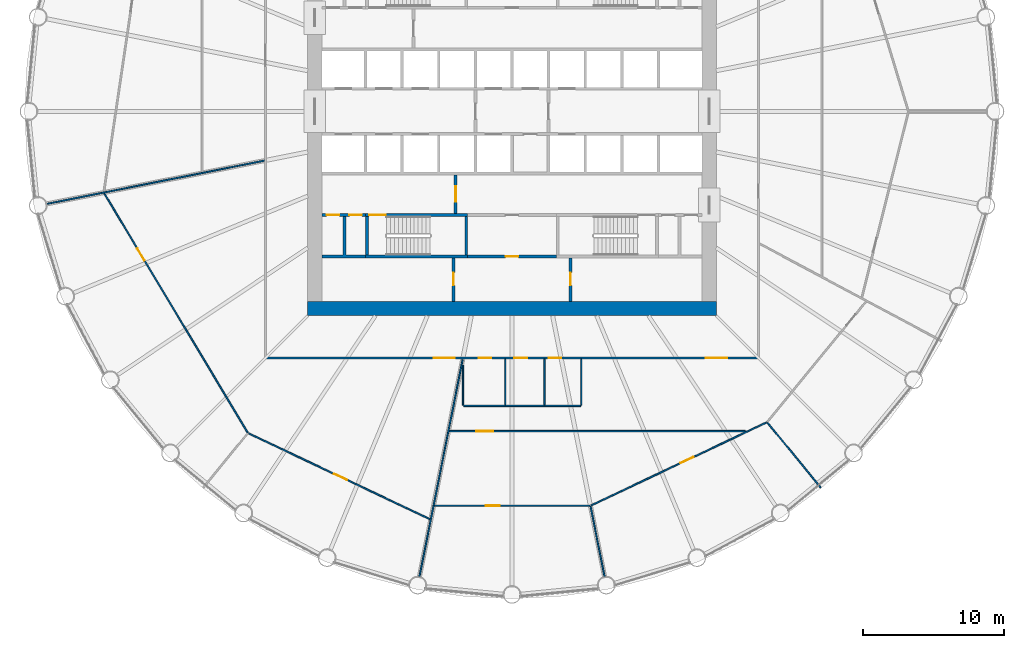
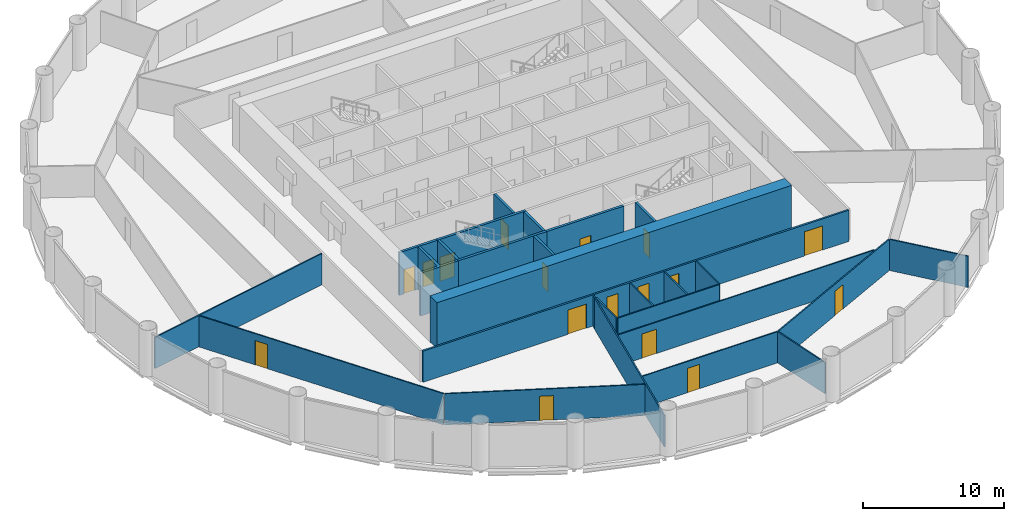
# One storey, part 4 of 8: 27 walls, 17 doors, 17 openings.
"""IFC4 building model written with IfcOpenShell, lengths in metres."""

from ifc_helpers import new_model, si_unit, direction, frame, frame_2d, origin, place, context, subcontext, project, spatial, polyline, rectangle, outline, extrude, material, layer, layer_set, type_object, element, fill, save


model = new_model("IFC4")

# Units and contexts
model_context = context("Model", 3, precision=1e-05, world=origin(), true_north=direction((0.0, 1.0)))
body_context = subcontext(model_context, "Body", "Model", "MODEL_VIEW")
ifc_project = project(units=[si_unit("LENGTHUNIT", "METRE"), si_unit("AREAUNIT", "SQUARE_METRE"), si_unit("VOLUMEUNIT", "CUBIC_METRE"), si_unit("PLANEANGLEUNIT", "RADIAN"), si_unit("MASSUNIT", "GRAM", prefix="KILO")], contexts=[model_context])

# Site, building, storey
site_placement = place(None, origin())
site = spatial("IfcSite", under=ifc_project, at=site_placement, CompositionType="ELEMENT")
building_placement = place(site_placement, origin())
building = spatial("IfcBuilding", under=site, at=building_placement, Name="Corvane Civic Tower", CompositionType="ELEMENT")
storey_placement = place(building_placement, frame((0.0, 0.0, 126.5)))
storey = spatial("IfcBuildingStorey", under=building, at=storey_placement, Name="L29", CompositionType="ELEMENT", Elevation=126.5)

# Wall
ifc_material_1 = material(Name="Concrete C70/85", Category="concrete")
ifc_layer_1 = layer(ifc_material_1, 1.0)
ifc_layer_set_1 = layer_set([ifc_layer_1], Name="Concrete C70/85")
wall_type_1 = type_object("IfcWallType", Name="CORE WALL 1000 C70/85", PredefinedType="SHEAR", material=ifc_layer_set_1)
wall_1_placement = place(storey_placement, frame((-14.5, -14.0, 0.0), z_axis=(0.0, 0.0, 1.0), x_axis=(1.0, 0.0, 0.0)))
element("IfcWall", 1, at=wall_1_placement, inside=storey, type_object=wall_type_1, Name="W-L29-core-S", PredefinedType="SHEAR", context=body_context, shape_type="SweptSolid", body=[
    extrude(rectangle(XDim=29.0, YDim=1.0, at=frame_2d((14.5, 0.0))), origin(), (0.0, 0.0, 1.0), 4.0),
])

# Wall, opening, door
ifc_material_2 = material(Name="Concrete C30/37", Category="concrete")
ifc_layer_2 = layer(ifc_material_2, 0.199951171875)
ifc_layer_set_2 = layer_set([ifc_layer_2], Name="Concrete C30/37")
wall_type_2 = type_object("IfcWallType", Name="CR-WALL-200", PredefinedType="PARTITIONING", material=ifc_layer_set_2)
wall_2_placement = place(storey_placement, frame((-3.14990234375, -10.300048828125, 0.0), z_axis=(0.0, 0.0, 1.0), x_axis=(1.0, 0.0, 0.0)))
wall_2 = element("IfcWall", 2, at=wall_2_placement, inside=storey, type_object=wall_type_2, Name="L29 partition wall", PredefinedType="PARTITIONING", context=body_context, shape_type="SweptSolid", body=[
    extrude(rectangle(XDim=6.2998046875, YDim=0.199951171875, at=frame_2d((3.14990234375, 0.0))), origin(), (0.0, 0.0, 1.0), 3.699951171875),
])
opening_1_placement = place(wall_2_placement, frame((2.699951171875, 0.0, 0.0)))
opening_1 = element("IfcOpeningElement", 3, at=opening_1_placement, cuts=wall_2, Name="Opening L29.C08", PredefinedType="OPENING", context=body_context, shape_type="SweptSolid", body=[
    extrude(rectangle(XDim=0.89990234375, YDim=2.10009765625, at=frame_2d((0.449951171875, 1.050048828125))), frame((0.0, 0.10986328125, 0.0), z_axis=(0.0, -1.0, 0.0), x_axis=(1.0, 0.0, 0.0)), (0.0, 0.0, 1.0), 0.219970703125),
])
ifc_material_3 = material(Name="Steel fire door leaf", Category="steel")
door_type_1 = type_object("IfcDoorType", Name="CR-DOOR-900", OperationType="SINGLE_SWING_LEFT", PredefinedType="DOOR", material=ifc_material_3)
door_1_placement = place(opening_1_placement, origin())
door_1 = element("IfcDoor", 4, at=door_1_placement, inside=storey, type_object=door_type_1, Name="L29 door", OperationType="SINGLE_SWING_LEFT", OverallHeight=2.10009765625, OverallWidth=0.89990234375, PredefinedType="DOOR", context=body_context, shape_type="SweptSolid", body=[
    extrude(rectangle(XDim=0.89990234375, YDim=2.10009765625, at=frame_2d((0.449951171875, 1.050048828125))), frame((0.0, 0.02490234375, 0.0), z_axis=(0.0, -1.0, 0.0), x_axis=(1.0, 0.0, 0.0)), (0.0, 0.0, 1.0), 0.050048828125),
])
fill(opening_1, door_1)

# Wall, openings, doors
wall_3_placement = place(storey_placement, frame((-13.5, -7.35009765625, 0.0), z_axis=(0.0, 0.0, 1.0), x_axis=(1.0, 0.0, 0.0)))
wall_3 = element("IfcWall", 5, at=wall_3_placement, inside=storey, type_object=wall_type_2, Name="L29 core partition wall", PredefinedType="PARTITIONING", context=body_context, shape_type="SweptSolid", body=[
    extrude(rectangle(XDim=3.10009765625, YDim=0.199951171875, at=frame_2d((1.550048828125, 0.0))), origin(), (0.0, 0.0, 1.0), 3.699951171875),
])
opening_2_placement = place(wall_3_placement, frame((0.35009765625, 0.0, 0.0)))
opening_2 = element("IfcOpeningElement", 6, at=opening_2_placement, cuts=wall_3, Name="Opening L29.C12", PredefinedType="OPENING", context=body_context, shape_type="SweptSolid", body=[
    extrude(rectangle(XDim=0.89990234375, YDim=2.10009765625, at=frame_2d((0.449951171875, 1.050048828125))), frame((0.0, 0.10986328125, 0.0), z_axis=(0.0, -1.0, 0.0), x_axis=(1.0, 0.0, 0.0)), (0.0, 0.0, 1.0), 0.219970703125),
])
opening_3_placement = place(wall_3_placement, frame((1.949951171875, 0.0, 0.0)))
opening_3 = element("IfcOpeningElement", 7, at=opening_3_placement, cuts=wall_3, Name="Opening L29.C13", PredefinedType="OPENING", context=body_context, shape_type="SweptSolid", body=[
    extrude(rectangle(XDim=0.89990234375, YDim=2.10009765625, at=frame_2d((0.449951171875, 1.050048828125))), frame((0.0, 0.10986328125, 0.0), z_axis=(0.0, -1.0, 0.0), x_axis=(1.0, 0.0, 0.0)), (0.0, 0.0, 1.0), 0.219970703125),
])
door_2_placement = place(opening_2_placement, origin())
door_2 = element("IfcDoor", 8, at=door_2_placement, inside=storey, type_object=door_type_1, Name="L29 door", OperationType="SINGLE_SWING_LEFT", OverallHeight=2.10009765625, OverallWidth=0.89990234375, PredefinedType="DOOR", context=body_context, shape_type="SweptSolid", body=[
    extrude(rectangle(XDim=0.89990234375, YDim=2.10009765625, at=frame_2d((0.449951171875, 1.050048828125))), frame((0.0, 0.02490234375, 0.0), z_axis=(0.0, -1.0, 0.0), x_axis=(1.0, 0.0, 0.0)), (0.0, 0.0, 1.0), 0.050048828125),
])
fill(opening_2, door_2)
door_3_placement = place(opening_3_placement, origin())
door_3 = element("IfcDoor", 9, at=door_3_placement, inside=storey, type_object=door_type_1, Name="L29 door", OperationType="SINGLE_SWING_LEFT", OverallHeight=2.10009765625, OverallWidth=0.89990234375, PredefinedType="DOOR", context=body_context, shape_type="SweptSolid", body=[
    extrude(rectangle(XDim=0.89990234375, YDim=2.10009765625, at=frame_2d((0.449951171875, 1.050048828125))), frame((0.0, 0.02490234375, 0.0), z_axis=(0.0, -1.0, 0.0), x_axis=(1.0, 0.0, 0.0)), (0.0, 0.0, 1.0), 0.050048828125),
])
fill(opening_3, door_3)

# Wall, opening, door
wall_4_placement = place(storey_placement, frame((-4.14990234375, -13.5, 0.0), z_axis=(0.0, 0.0, 1.0), x_axis=(0.0, 1.0, 0.0)))
wall_4 = element("IfcWall", 10, at=wall_4_placement, inside=storey, type_object=wall_type_2, Name="L29 partition wall", PredefinedType="PARTITIONING", context=body_context, shape_type="SweptSolid", body=[
    extrude(rectangle(XDim=3.10009765625, YDim=0.199951171875, at=frame_2d((1.550048828125, 0.0))), origin(), (0.0, 0.0, 1.0), 3.699951171875),
])
opening_4_placement = place(wall_4_placement, frame((1.14990234375, 0.0, 0.0)))
opening_4 = element("IfcOpeningElement", 11, at=opening_4_placement, cuts=wall_4, Name="Opening L29.C07", PredefinedType="OPENING", context=body_context, shape_type="SweptSolid", body=[
    extrude(rectangle(XDim=0.89990234375, YDim=2.10009765625, at=frame_2d((0.449951171875, 1.050048828125))), frame((0.0, 0.10986328125, 0.0), z_axis=(0.0, -1.0, 0.0), x_axis=(1.0, 0.0, 0.0)), (0.0, 0.0, 1.0), 0.219970703125),
])
door_4_placement = place(opening_4_placement, origin())
door_4 = element("IfcDoor", 12, at=door_4_placement, inside=storey, type_object=door_type_1, Name="L29 door", OperationType="SINGLE_SWING_LEFT", OverallHeight=2.10009765625, OverallWidth=0.89990234375, PredefinedType="DOOR", context=body_context, shape_type="SweptSolid", body=[
    extrude(rectangle(XDim=0.89990234375, YDim=2.10009765625, at=frame_2d((0.449951171875, 1.050048828125))), frame((0.0, 0.02490234375, 0.0), z_axis=(0.0, -1.0, 0.0), x_axis=(1.0, 0.0, 0.0)), (0.0, 0.0, 1.0), 0.050048828125),
])
fill(opening_4, door_4)

wall_5_placement = place(storey_placement, frame((-4.0, -7.25, 0.0), z_axis=(0.0, 0.0, 1.0), x_axis=(0.0, 1.0, 0.0)))
wall_5 = element("IfcWall", 13, at=wall_5_placement, inside=storey, type_object=wall_type_2, Name="L29 core partition wall", PredefinedType="PARTITIONING", context=body_context, shape_type="SweptSolid", body=[
    extrude(rectangle(XDim=2.75, YDim=0.199951171875, at=frame_2d((1.375, 0.0))), origin(), (0.0, 0.0, 1.0), 3.699951171875),
])
opening_5_placement = place(wall_5_placement, frame((0.824951171875, 0.0, 0.0)))
opening_5 = element("IfcOpeningElement", 14, at=opening_5_placement, cuts=wall_5, Name="Opening L29.C25", PredefinedType="OPENING", context=body_context, shape_type="SweptSolid", body=[
    extrude(rectangle(XDim=1.10009765625, YDim=2.10009765625, at=frame_2d((0.550048828125, 1.050048828125))), frame((0.0, 0.10986328125, 0.0), z_axis=(0.0, -1.0, 0.0), x_axis=(1.0, 0.0, 0.0)), (0.0, 0.0, 1.0), 0.219970703125),
])
ifc_material_4 = material(Name="Steel fire door leaf", Category="steel")
door_type_2 = type_object("IfcDoorType", Name="CR-DOOR-FFL-1100", OperationType="SINGLE_SWING_LEFT", PredefinedType="DOOR", material=ifc_material_4)
door_5_placement = place(opening_5_placement, origin())
door_5 = element("IfcDoor", 15, at=door_5_placement, inside=storey, type_object=door_type_2, Name="L29 lobby door", OperationType="SINGLE_SWING_LEFT", OverallHeight=2.10009765625, OverallWidth=1.10009765625, PredefinedType="DOOR", context=body_context, shape_type="SweptSolid", body=[
    extrude(rectangle(XDim=1.10009765625, YDim=2.10009765625, at=frame_2d((0.550048828125, 1.050048828125))), frame((0.0, 0.02490234375, 0.0), z_axis=(0.0, -1.0, 0.0), x_axis=(1.0, 0.0, 0.0)), (0.0, 0.0, 1.0), 0.050048828125),
])
fill(opening_5, door_5)

wall_6_placement = place(storey_placement, frame((4.14990234375, -13.5, 0.0), z_axis=(0.0, 0.0, 1.0), x_axis=(0.0, 1.0, 0.0)))
wall_6 = element("IfcWall", 16, at=wall_6_placement, inside=storey, type_object=wall_type_2, Name="L29 partition wall", PredefinedType="PARTITIONING", context=body_context, shape_type="SweptSolid", body=[
    extrude(rectangle(XDim=3.10009765625, YDim=0.199951171875, at=frame_2d((1.550048828125, 0.0))), origin(), (0.0, 0.0, 1.0), 3.699951171875),
])
opening_6_placement = place(wall_6_placement, frame((1.14990234375, 0.0, 0.0)))
opening_6 = element("IfcOpeningElement", 17, at=opening_6_placement, cuts=wall_6, Name="Opening L29.C09", PredefinedType="OPENING", context=body_context, shape_type="SweptSolid", body=[
    extrude(rectangle(XDim=0.89990234375, YDim=2.10009765625, at=frame_2d((0.449951171875, 1.050048828125))), frame((0.0, 0.10986328125, 0.0), z_axis=(0.0, -1.0, 0.0), x_axis=(1.0, 0.0, 0.0)), (0.0, 0.0, 1.0), 0.219970703125),
])
door_6_placement = place(opening_6_placement, origin())
door_6 = element("IfcDoor", 18, at=door_6_placement, inside=storey, type_object=door_type_1, Name="L29 door", OperationType="SINGLE_SWING_LEFT", OverallHeight=2.10009765625, OverallWidth=0.89990234375, PredefinedType="DOOR", context=body_context, shape_type="SweptSolid", body=[
    extrude(rectangle(XDim=0.89990234375, YDim=2.10009765625, at=frame_2d((0.449951171875, 1.050048828125))), frame((0.0, 0.02490234375, 0.0), z_axis=(0.0, -1.0, 0.0), x_axis=(1.0, 0.0, 0.0)), (0.0, 0.0, 1.0), 0.050048828125),
])
fill(opening_6, door_6)

# Walls
wall_7_placement = place(storey_placement, origin())
element("IfcWall", 19, at=wall_7_placement, inside=storey, type_object=wall_type_2, Name="L29 core partition wall", PredefinedType="PARTITIONING", context=body_context, shape_type="SweptSolid", body=[
    extrude(outline(polyline([(-12.0, -7.449951171875), (-11.800048828125, -7.449951171875), (-11.800048828125, -10.199951171875), (-10.39990234375, -10.199951171875), (-10.39990234375, -10.39990234375), (-13.5, -10.39990234375), (-13.5, -10.199951171875), (-12.0, -10.199951171875), (-12.0, -7.449951171875)])), origin(), (0.0, 0.0, 1.0), 3.699951171875),
])
ifc_material_5 = material(Name="Plasterboard")
ifc_layer_3 = layer(ifc_material_5, 0.10009765625)
ifc_layer_set_3 = layer_set([ifc_layer_3], Name="Plasterboard")
wall_type_3 = type_object("IfcWallType", Name="Partition 100 plasterboard on studs", PredefinedType="PARTITIONING", material=ifc_layer_set_3)
wall_8_placement = place(storey_placement, frame((-6.567626953125, -33.01806640625, 0.0), z_axis=(0.0, 0.0, 1.0), x_axis=(0.195082522727, 0.980786831746, 0.0)))
element("IfcWall", 20, at=wall_8_placement, inside=storey, type_object=wall_type_3, Name="Partition L29.001", PredefinedType="PARTITIONING", context=body_context, shape_type="SweptSolid", body=[
    extrude(rectangle(XDim=15.309326171875, YDim=0.10009765625, at=frame_2d((7.65478515625, 0.0))), origin(), (0.0, 0.0, 1.0), 2.699951171875),
])
wall_9_placement = place(storey_placement, frame((5.576416015625, -28.034912109375, 0.0), z_axis=(0.0, 0.0, 1.0), x_axis=(0.195090306735, -0.980785283443, 0.0)))
element("IfcWall", 21, at=wall_9_placement, inside=storey, type_object=wall_type_3, Name="Partition L29.002", PredefinedType="PARTITIONING", context=body_context, shape_type="SweptSolid", body=[
    extrude(rectangle(XDim=5.080810546875, YDim=0.10009765625, at=frame_2d((2.54052734375, 0.0))), origin(), (0.0, 0.0, 1.0), 2.699951171875),
])

# Wall, opening, door
wall_10_placement = place(storey_placement, frame((-18.70751953125, -22.854736328125, 0.0), z_axis=(0.0, 0.0, 1.0), x_axis=(0.903989828482, -0.427553961508, 0.0)))
wall_10 = element("IfcWall", 22, at=wall_10_placement, inside=storey, type_object=wall_type_3, Name="Partition L29.003", PredefinedType="PARTITIONING", context=body_context, shape_type="SweptSolid", body=[
    extrude(rectangle(XDim=14.25439453125, YDim=0.10009765625, at=frame_2d((7.127197265625, 0.0))), origin(), (0.0, 0.0, 1.0), 2.699951171875),
])
opening_7_placement = place(wall_10_placement, frame((6.72900390625, 0.0, 0.0)))
opening_7 = element("IfcOpeningElement", 23, at=opening_7_placement, cuts=wall_10, Name="Opening L29.001", PredefinedType="OPENING", context=body_context, shape_type="SweptSolid", body=[
    extrude(rectangle(XDim=1.0, YDim=2.10009765625, at=frame_2d((0.5, 1.050048828125))), frame((0.0, 0.06005859375, 0.0), z_axis=(0.0, -1.0, 0.0), x_axis=(1.0, 0.0, 0.0)), (0.0, 0.0, 1.0), 0.1201171875),
])
ifc_material_6 = material(Name="Timber", Category="wood")
door_type_3 = type_object("IfcDoorType", Name="Single door 1000", OperationType="NOTDEFINED", PredefinedType="DOOR", material=ifc_material_6)
door_7_placement = place(opening_7_placement, frame((1.0, 0.0, 0.0), z_axis=(0.0, 0.0, 1.0), x_axis=(-1.0, 0.0, 0.0)))
door_7 = element("IfcDoor", 24, at=door_7_placement, inside=storey, type_object=door_type_3, Name="Door L29.001", OperationType="SINGLE_SWING_LEFT", OverallHeight=2.10009765625, OverallWidth=1.0, PredefinedType="DOOR", context=body_context, shape_type="SweptSolid", body=[
    extrude(rectangle(XDim=1.0, YDim=2.10009765625, at=frame_2d((0.5, 1.050048828125))), frame((0.0, 0.02490234375, 0.0), z_axis=(0.0, -1.0, 0.0), x_axis=(1.0, 0.0, 0.0)), (0.0, 0.0, 1.0), 0.050048828125),
])
fill(opening_7, door_7)

wall_11_placement = place(storey_placement, frame((-5.507568359375, -27.994384765625, 0.0), z_axis=(0.0, 0.0, 1.0), x_axis=(1.0, 0.0, 0.0)))
wall_11 = element("IfcWall", 25, at=wall_11_placement, inside=storey, type_object=wall_type_3, Name="Partition L29.004", PredefinedType="PARTITIONING", context=body_context, shape_type="SweptSolid", body=[
    extrude(rectangle(XDim=11.034912109375, YDim=0.10009765625, at=frame_2d((5.517578125, 0.0))), origin(), (0.0, 0.0, 1.0), 2.699951171875),
])
opening_8_placement = place(wall_11_placement, frame((3.6533203125, 0.0, 0.0)))
opening_8 = element("IfcOpeningElement", 26, at=opening_8_placement, cuts=wall_11, Name="Opening L29.020", PredefinedType="OPENING", context=body_context, shape_type="SweptSolid", body=[
    extrude(rectangle(XDim=1.0, YDim=2.10009765625, at=frame_2d((0.5, 1.050048828125))), frame((0.0, 0.06005859375, 0.0), z_axis=(0.0, -1.0, 0.0), x_axis=(1.0, 0.0, 0.0)), (0.0, 0.0, 1.0), 0.1201171875),
])
door_8_placement = place(opening_8_placement, frame((1.0, 0.0, 0.0), z_axis=(0.0, 0.0, 1.0), x_axis=(-1.0, 0.0, 0.0)))
door_8 = element("IfcDoor", 27, at=door_8_placement, inside=storey, type_object=door_type_3, Name="Door L29.020", OperationType="SINGLE_SWING_LEFT", OverallHeight=2.10009765625, OverallWidth=1.0, PredefinedType="DOOR", context=body_context, shape_type="SweptSolid", body=[
    extrude(rectangle(XDim=1.0, YDim=2.10009765625, at=frame_2d((0.5, 1.050048828125))), frame((0.0, 0.02490234375, 0.0), z_axis=(0.0, -1.0, 0.0), x_axis=(1.0, 0.0, 0.0)), (0.0, 0.0, 1.0), 0.050048828125),
])
fill(opening_8, door_8)

wall_12_placement = place(storey_placement, frame((5.603759765625, -27.977783203125, 0.0), z_axis=(0.0, 0.0, 1.0), x_axis=(0.903994657209, 0.42754375184, 0.0)))
wall_12 = element("IfcWall", 28, at=wall_12_placement, inside=storey, type_object=wall_type_3, Name="Partition L29.005", PredefinedType="PARTITIONING", context=body_context, shape_type="SweptSolid", body=[
    extrude(rectangle(XDim=13.792724609375, YDim=0.10009765625, at=frame_2d((6.896484375, 0.0))), origin(), (0.0, 0.0, 1.0), 2.699951171875),
])
opening_9_placement = place(wall_12_placement, frame((7.0439453125, 0.0, 0.0)))
opening_9 = element("IfcOpeningElement", 29, at=opening_9_placement, cuts=wall_12, Name="Opening L29.019", PredefinedType="OPENING", context=body_context, shape_type="SweptSolid", body=[
    extrude(rectangle(XDim=1.0, YDim=2.10009765625, at=frame_2d((0.5, 1.050048828125))), frame((0.0, 0.06005859375, 0.0), z_axis=(0.0, -1.0, 0.0), x_axis=(1.0, 0.0, 0.0)), (0.0, 0.0, 1.0), 0.1201171875),
])
door_9_placement = place(opening_9_placement, frame((1.0, 0.0, 0.0), z_axis=(0.0, 0.0, 1.0), x_axis=(-1.0, 0.0, 0.0)))
door_9 = element("IfcDoor", 30, at=door_9_placement, inside=storey, type_object=door_type_3, Name="Door L29.019", OperationType="SINGLE_SWING_LEFT", OverallHeight=2.10009765625, OverallWidth=1.0, PredefinedType="DOOR", context=body_context, shape_type="SweptSolid", body=[
    extrude(rectangle(XDim=1.0, YDim=2.10009765625, at=frame_2d((0.5, 1.050048828125))), frame((0.0, 0.02490234375, 0.0), z_axis=(0.0, -1.0, 0.0), x_axis=(1.0, 0.0, 0.0)), (0.0, 0.0, 1.0), 0.050048828125),
])
fill(opening_9, door_9)

# Wall
wall_13_placement = place(storey_placement, frame((18.133544921875, -22.095703125, 0.0), z_axis=(0.0, 0.0, 1.0), x_axis=(0.634382451153, -0.773019343658, 0.0)))
element("IfcWall", 31, at=wall_13_placement, inside=storey, type_object=wall_type_3, Name="Partition L29.007", PredefinedType="PARTITIONING", context=body_context, shape_type="SweptSolid", body=[
    extrude(rectangle(XDim=5.96630859375, YDim=0.10009765625, at=frame_2d((2.983154296875, 0.0))), origin(), (0.0, 0.0, 1.0), 2.699951171875),
])

# Wall, opening, door
wall_14_placement = place(storey_placement, frame((-28.93994140625, -5.82470703125, 0.0), z_axis=(0.0, 0.0, 1.0), x_axis=(0.514098592788, -0.857731098243, 0.0)))
wall_14 = element("IfcWall", 32, at=wall_14_placement, inside=storey, type_object=wall_type_3, Name="Partition L29.008", PredefinedType="PARTITIONING", context=body_context, shape_type="SweptSolid", body=[
    extrude(rectangle(XDim=19.800048828125, YDim=0.10009765625, at=frame_2d((9.89990234375, 0.0))), origin(), (0.0, 0.0, 1.0), 2.699951171875),
])
opening_10_placement = place(wall_14_placement, frame((4.54931640625, 0.0, 0.0)))
opening_10 = element("IfcOpeningElement", 33, at=opening_10_placement, cuts=wall_14, Name="Opening L29.002", PredefinedType="OPENING", context=body_context, shape_type="SweptSolid", body=[
    extrude(rectangle(XDim=1.0, YDim=2.10009765625, at=frame_2d((0.5, 1.050048828125))), frame((0.0, 0.06005859375, 0.0), z_axis=(0.0, -1.0, 0.0), x_axis=(1.0, 0.0, 0.0)), (0.0, 0.0, 1.0), 0.1201171875),
])
door_10_placement = place(opening_10_placement, frame((1.0, 0.0, 0.0), z_axis=(0.0, 0.0, 1.0), x_axis=(-1.0, 0.0, 0.0)))
door_10 = element("IfcDoor", 34, at=door_10_placement, inside=storey, type_object=door_type_3, Name="Door L29.002", OperationType="SINGLE_SWING_LEFT", OverallHeight=2.10009765625, OverallWidth=1.0, PredefinedType="DOOR", context=body_context, shape_type="SweptSolid", body=[
    extrude(rectangle(XDim=1.0, YDim=2.10009765625, at=frame_2d((0.5, 1.050048828125))), frame((0.0, 0.02490234375, 0.0), z_axis=(0.0, -1.0, 0.0), x_axis=(1.0, 0.0, 0.0)), (0.0, 0.0, 1.0), 0.050048828125),
])
fill(opening_10, door_10)

wall_15_placement = place(storey_placement, frame((-4.454345703125, -22.699951171875, 0.0), z_axis=(0.0, 0.0, 1.0), x_axis=(1.0, 0.0, 0.0)))
wall_15 = element("IfcWall", 35, at=wall_15_placement, inside=storey, type_object=wall_type_3, Name="Partition L29.009", PredefinedType="PARTITIONING", context=body_context, shape_type="SweptSolid", body=[
    extrude(rectangle(XDim=20.99462890625, YDim=0.10009765625, at=frame_2d((10.497314453125, 0.0))), origin(), (0.0, 0.0, 1.0), 2.699951171875),
])
opening_11_placement = place(wall_15_placement, frame((1.93359375, 0.0, 0.0)))
opening_11 = element("IfcOpeningElement", 36, at=opening_11_placement, cuts=wall_15, Name="Opening L29.021", PredefinedType="OPENING", context=body_context, shape_type="SweptSolid", body=[
    extrude(rectangle(XDim=1.199951171875, YDim=2.10009765625, at=frame_2d((0.60009765625, 1.050048828125))), frame((0.0, 0.06005859375, 0.0), z_axis=(0.0, -1.0, 0.0), x_axis=(1.0, 0.0, 0.0)), (0.0, 0.0, 1.0), 0.1201171875),
])
ifc_material_7 = material(Name="Timber", Category="wood")
door_type_4 = type_object("IfcDoorType", Name="Double door 1200", OperationType="NOTDEFINED", PredefinedType="DOOR", material=ifc_material_7)
door_11_placement = place(opening_11_placement, frame((1.199951171875, 0.0, 0.0), z_axis=(0.0, 0.0, 1.0), x_axis=(-1.0, 0.0, 0.0)))
door_11 = element("IfcDoor", 37, at=door_11_placement, inside=storey, type_object=door_type_4, Name="Door L29.021", OperationType="DOUBLE_DOOR_SINGLE_SWING", OverallHeight=2.10009765625, OverallWidth=1.199951171875, PredefinedType="DOOR", context=body_context, shape_type="SweptSolid", body=[
    extrude(rectangle(XDim=1.199951171875, YDim=2.10009765625, at=frame_2d((0.60009765625, 1.050048828125))), frame((0.0, 0.02490234375, 0.0), z_axis=(0.0, -1.0, 0.0), x_axis=(1.0, 0.0, 0.0)), (0.0, 0.0, 1.0), 0.050048828125),
])
fill(opening_11, door_11)

# Walls
wall_16_placement = place(storey_placement, frame((-3.430908203125, -20.89990234375, 0.0), z_axis=(0.0, 0.0, 1.0), x_axis=(1.0, 0.0, 0.0)))
element("IfcWall", 38, at=wall_16_placement, inside=storey, type_object=wall_type_3, Name="Partition L29.011", PredefinedType="PARTITIONING", context=body_context, shape_type="SweptSolid", body=[
    extrude(rectangle(XDim=8.2998046875, YDim=0.10009765625, at=frame_2d((4.14990234375, 0.0))), origin(), (0.0, 0.0, 1.0), 2.699951171875),
])
wall_17_placement = place(storey_placement, frame((-3.48095703125, -20.85009765625, 0.0), z_axis=(0.0, 0.0, 1.0), x_axis=(0.0, 1.0, 0.0)))
element("IfcWall", 39, at=wall_17_placement, inside=storey, type_object=wall_type_3, Name="Partition L29.012", PredefinedType="PARTITIONING", context=body_context, shape_type="SweptSolid", body=[
    extrude(rectangle(XDim=2.84228515625, YDim=0.10009765625, at=frame_2d((1.421142578125, 0.0))), origin(), (0.0, 0.0, 1.0), 2.699951171875),
])
for number, where, z_axis, x_axis, name in (
    (40, (-0.48095703125, -20.85009765625, 0.0), (0.0, 0.0, 1.0), (0.0, 1.0, 0.0), "Partition L29.013"),
    (41, (2.319091796875, -20.85009765625, 0.0), (0.0, 0.0, 1.0), (0.0, 1.0, 0.0), "Partition L29.014"),
    (42, (4.9189453125, -20.85009765625, 0.0), (0.0, 0.0, 1.0), (0.0, 1.0, 0.0), "Partition L29.015"),
):
    element("IfcWall", number, at=place(storey_placement, frame(where, z_axis=z_axis, x_axis=x_axis)), inside=storey, type_object=wall_type_3, Name=name, PredefinedType="PARTITIONING", context=body_context, shape_type="SweptSolid", body=[
        extrude(rectangle(XDim=3.275146484375, YDim=0.10009765625, at=frame_2d((1.6376953125, 0.0))), origin(), (0.0, 0.0, 1.0), 2.699951171875),
    ])
wall_18_placement = place(storey_placement, frame((-33.01806640625, -6.567626953125, 0.0), z_axis=(0.0, 0.0, 1.0), x_axis=(0.980786008626, 0.195086660958, 0.0)))
element("IfcWall", 43, at=wall_18_placement, inside=storey, type_object=wall_type_3, Name="Partition L29.022", PredefinedType="PARTITIONING", context=body_context, shape_type="SweptSolid", body=[
    extrude(rectangle(XDim=15.735595703125, YDim=0.10009765625, at=frame_2d((7.86767578125, 0.0))), origin(), (0.0, 0.0, 1.0), 2.699951171875),
])
wall_19_placement = place(storey_placement, frame((-3.5810546875, -18.0029296875, 0.0), z_axis=(0.0, 0.0, 1.0), x_axis=(0.195047719412, 0.980793753626, 0.0)))
element("IfcWall", 44, at=wall_19_placement, inside=storey, type_object=wall_type_3, Name="Partition L29.042", PredefinedType="PARTITIONING", context=body_context, shape_type="SweptSolid", body=[
    extrude(rectangle(XDim=0.3955078125, YDim=0.10009765625, at=frame_2d((0.19775390625, 0.0))), origin(), (0.0, 0.0, 1.0), 2.699951171875),
])

# Wall, opening, door
ifc_material_8 = material(Name="Concrete C50/60", Category="concrete")
ifc_layer_4 = layer(ifc_material_8, 0.199951171875)
ifc_layer_set_4 = layer_set([ifc_layer_4], Name="Concrete C50/60")
wall_type_4 = type_object("IfcWallType", Name="ST-WALL-200", PredefinedType="SHEAR", material=ifc_layer_set_4)
wall_20_placement = place(storey_placement, frame((-10.39990234375, -7.35009765625, 0.0), z_axis=(0.0, 0.0, 1.0), x_axis=(1.0, 0.0, 0.0)))
wall_20 = element("IfcWall", 45, at=wall_20_placement, inside=storey, type_object=wall_type_4, Name="L29 stair enclosure wall", PredefinedType="SHEAR", context=body_context, shape_type="SweptSolid", body=[
    extrude(rectangle(XDim=7.25, YDim=0.199951171875, at=frame_2d((3.625, 0.0))), origin(), (0.0, 0.0, 1.0), 3.699951171875),
])
opening_12_placement = place(wall_20_placement, frame((0.25, 0.0, 0.0)))
opening_12 = element("IfcOpeningElement", 46, at=opening_12_placement, cuts=wall_20, Name="Opening L29.C21", PredefinedType="OPENING", context=body_context, shape_type="SweptSolid", body=[
    extrude(rectangle(XDim=1.199951171875, YDim=2.10009765625, at=frame_2d((0.60009765625, 1.050048828125))), frame((0.0, 0.10986328125, 0.0), z_axis=(0.0, -1.0, 0.0), x_axis=(1.0, 0.0, 0.0)), (0.0, 0.0, 1.0), 0.219970703125),
])
ifc_material_9 = material(Name="Steel fire door leaf", Category="steel")
door_type_5 = type_object("IfcDoorType", Name="ST-DOOR-1200", OperationType="SINGLE_SWING_RIGHT", PredefinedType="DOOR", material=ifc_material_9)
door_12_placement = place(opening_12_placement, origin())
door_12 = element("IfcDoor", 47, at=door_12_placement, inside=storey, type_object=door_type_5, Name="L29 stair door", OperationType="SINGLE_SWING_RIGHT", OverallHeight=2.10009765625, OverallWidth=1.199951171875, PredefinedType="DOOR", context=body_context, shape_type="SweptSolid", body=[
    extrude(rectangle(XDim=1.199951171875, YDim=2.10009765625, at=frame_2d((0.60009765625, 1.050048828125))), frame((0.0, 0.02490234375, 0.0), z_axis=(0.0, -1.0, 0.0), x_axis=(1.0, 0.0, 0.0)), (0.0, 0.0, 1.0), 0.050048828125),
])
fill(opening_12, door_12)

# Walls
wall_21_placement = place(storey_placement, origin())
element("IfcWall", 48, at=wall_21_placement, inside=storey, type_object=wall_type_4, Name="L29 stair enclosure wall", PredefinedType="SHEAR", context=body_context, shape_type="SweptSolid", body=[
    extrude(outline(polyline([(-3.14990234375, -10.199951171875), (-3.14990234375, -10.39990234375), (-10.39990234375, -10.39990234375), (-10.39990234375, -10.199951171875), (-3.14990234375, -10.199951171875)])), origin(), (0.0, 0.0, 1.0), 3.699951171875),
])
wall_22_placement = place(storey_placement, origin())
element("IfcWall", 49, at=wall_22_placement, inside=storey, type_object=wall_type_4, Name="L29 stair enclosure wall", PredefinedType="SHEAR", context=body_context, shape_type="SweptSolid", body=[
    extrude(outline(polyline([(-3.14990234375, -7.449951171875), (-3.14990234375, -10.199951171875), (-3.35009765625, -10.199951171875), (-3.35009765625, -7.449951171875), (-3.14990234375, -7.449951171875)])), origin(), (0.0, 0.0, 1.0), 3.699951171875),
])
wall_23_placement = place(storey_placement, origin())
element("IfcWall", 50, at=wall_23_placement, inside=storey, type_object=wall_type_4, Name="L29 stair enclosure wall", PredefinedType="SHEAR", context=body_context, shape_type="SweptSolid", body=[
    extrude(outline(polyline([(-10.199951171875, -7.449951171875), (-10.199951171875, -10.199951171875), (-10.39990234375, -10.199951171875), (-10.39990234375, -7.449951171875), (-10.199951171875, -7.449951171875)])), origin(), (0.0, 0.0, 1.0), 3.699951171875),
])

# Wall, openings, doors
ifc_material_10 = material(Name="Plasterboard")
ifc_layer_5 = layer(ifc_material_10, 0.14990234375)
ifc_layer_set_5 = layer_set([ifc_layer_5], Name="Plasterboard")
wall_type_5 = type_object("IfcWallType", Name="Tenancy wall 150 EI 60", PredefinedType="PARTITIONING", material=ifc_layer_set_5)
wall_24_placement = place(storey_placement, frame((-17.425048828125, -17.5, 0.0), z_axis=(0.0, 0.0, 1.0), x_axis=(1.0, 0.0, 0.0)))
wall_24 = element("IfcWall", 51, at=wall_24_placement, inside=storey, type_object=wall_type_5, Name="Partition L29.016", PredefinedType="PARTITIONING", context=body_context, shape_type="SweptSolid", body=[
    extrude(rectangle(XDim=34.85009765625, YDim=0.14990234375, at=frame_2d((17.425048828125, 0.0))), origin(), (0.0, 0.0, 1.0), 2.699951171875),
])
opening_13_placement = place(wall_24_placement, frame((11.8759765625, 0.0, 0.0)))
opening_13 = element("IfcOpeningElement", 52, at=opening_13_placement, cuts=wall_24, Name="Opening L29.003", PredefinedType="OPENING", context=body_context, shape_type="SweptSolid", body=[
    extrude(rectangle(XDim=1.5, YDim=2.10009765625, at=frame_2d((0.75, 1.050048828125))), frame((0.0, 0.0849609375, 0.0), z_axis=(0.0, -1.0, 0.0), x_axis=(1.0, 0.0, 0.0)), (0.0, 0.0, 1.0), 0.169921875),
])
opening_14_placement = place(wall_24_placement, frame((31.19482421875, 0.0, 0.0)))
opening_14 = element("IfcOpeningElement", 53, at=opening_14_placement, cuts=wall_24, Name="Opening L29.022", PredefinedType="OPENING", context=body_context, shape_type="SweptSolid", body=[
    extrude(rectangle(XDim=1.5, YDim=2.10009765625, at=frame_2d((0.75, 1.050048828125))), frame((0.0, 0.0849609375, 0.0), z_axis=(0.0, -1.0, 0.0), x_axis=(1.0, 0.0, 0.0)), (0.0, 0.0, 1.0), 0.169921875),
])
opening_15_placement = place(wall_24_placement, frame((15.0625, 0.0, 0.0)))
opening_15 = element("IfcOpeningElement", 54, at=opening_15_placement, cuts=wall_24, Name="Opening L29.023", PredefinedType="OPENING", context=body_context, shape_type="SweptSolid", body=[
    extrude(rectangle(XDim=0.89990234375, YDim=2.10009765625, at=frame_2d((0.449951171875, 1.050048828125))), frame((0.0, 0.0849609375, 0.0), z_axis=(0.0, -1.0, 0.0), x_axis=(1.0, 0.0, 0.0)), (0.0, 0.0, 1.0), 0.169921875),
])
opening_16_placement = place(wall_24_placement, frame((17.595703125, 0.0, 0.0)))
opening_16 = element("IfcOpeningElement", 55, at=opening_16_placement, cuts=wall_24, Name="Opening L29.024", PredefinedType="OPENING", context=body_context, shape_type="SweptSolid", body=[
    extrude(rectangle(XDim=0.89990234375, YDim=2.10009765625, at=frame_2d((0.449951171875, 1.050048828125))), frame((0.0, 0.0849609375, 0.0), z_axis=(0.0, -1.0, 0.0), x_axis=(1.0, 0.0, 0.0)), (0.0, 0.0, 1.0), 0.169921875),
])
opening_17_placement = place(wall_24_placement, frame((20.037353515625, 0.0, 0.0)))
opening_17 = element("IfcOpeningElement", 56, at=opening_17_placement, cuts=wall_24, Name="Opening L29.025", PredefinedType="OPENING", context=body_context, shape_type="SweptSolid", body=[
    extrude(rectangle(XDim=0.89990234375, YDim=2.10009765625, at=frame_2d((0.449951171875, 1.050048828125))), frame((0.0, 0.0849609375, 0.0), z_axis=(0.0, -1.0, 0.0), x_axis=(1.0, 0.0, 0.0)), (0.0, 0.0, 1.0), 0.169921875),
])
ifc_material_11 = material(Name="Steel and timber", Category="steel")
door_type_6 = type_object("IfcDoorType", Name="Fire door FD30S 900", OperationType="NOTDEFINED", PredefinedType="DOOR", material=ifc_material_11)
door_13_placement = place(opening_15_placement, frame((0.89990234375, 0.0, 0.0), z_axis=(0.0, 0.0, 1.0), x_axis=(-1.0, 0.0, 0.0)))
door_13 = element("IfcDoor", 57, at=door_13_placement, inside=storey, type_object=door_type_6, Name="Door L29.023", OperationType="SINGLE_SWING_LEFT", OverallHeight=2.10009765625, OverallWidth=0.89990234375, PredefinedType="DOOR", context=body_context, shape_type="SweptSolid", body=[
    extrude(rectangle(XDim=0.89990234375, YDim=2.10009765625, at=frame_2d((0.449951171875, 1.050048828125))), frame((0.0, 0.02490234375, 0.0), z_axis=(0.0, -1.0, 0.0), x_axis=(1.0, 0.0, 0.0)), (0.0, 0.0, 1.0), 0.050048828125),
])
fill(opening_15, door_13)
door_14_placement = place(opening_16_placement, frame((0.89990234375, 0.0, 0.0), z_axis=(0.0, 0.0, 1.0), x_axis=(-1.0, 0.0, 0.0)))
door_14 = element("IfcDoor", 58, at=door_14_placement, inside=storey, type_object=door_type_6, Name="Door L29.024", OperationType="SINGLE_SWING_RIGHT", OverallHeight=2.10009765625, OverallWidth=0.89990234375, PredefinedType="DOOR", context=body_context, shape_type="SweptSolid", body=[
    extrude(rectangle(XDim=0.89990234375, YDim=2.10009765625, at=frame_2d((0.449951171875, 1.050048828125))), frame((0.0, 0.02490234375, 0.0), z_axis=(0.0, -1.0, 0.0), x_axis=(1.0, 0.0, 0.0)), (0.0, 0.0, 1.0), 0.050048828125),
])
fill(opening_16, door_14)
door_15_placement = place(opening_17_placement, frame((0.89990234375, 0.0, 0.0), z_axis=(0.0, 0.0, 1.0), x_axis=(-1.0, 0.0, 0.0)))
door_15 = element("IfcDoor", 59, at=door_15_placement, inside=storey, type_object=door_type_6, Name="Door L29.025", OperationType="SINGLE_SWING_LEFT", OverallHeight=2.10009765625, OverallWidth=0.89990234375, PredefinedType="DOOR", context=body_context, shape_type="SweptSolid", body=[
    extrude(rectangle(XDim=0.89990234375, YDim=2.10009765625, at=frame_2d((0.449951171875, 1.050048828125))), frame((0.0, 0.02490234375, 0.0), z_axis=(0.0, -1.0, 0.0), x_axis=(1.0, 0.0, 0.0)), (0.0, 0.0, 1.0), 0.050048828125),
])
fill(opening_17, door_15)
ifc_material_12 = material(Name="Steel and timber", Category="steel")
door_type_7 = type_object("IfcDoorType", Name="Fire door FD60 double 1500", OperationType="NOTDEFINED", PredefinedType="DOOR", material=ifc_material_12)
door_16_placement = place(opening_13_placement, frame((1.5, 0.0, 0.0), z_axis=(0.0, 0.0, 1.0), x_axis=(-1.0, 0.0, 0.0)))
door_16 = element("IfcDoor", 60, at=door_16_placement, inside=storey, type_object=door_type_7, Name="Door L29.003", OperationType="DOUBLE_DOOR_SINGLE_SWING", OverallHeight=2.10009765625, OverallWidth=1.5, PredefinedType="DOOR", context=body_context, shape_type="SweptSolid", body=[
    extrude(rectangle(XDim=1.5, YDim=2.10009765625, at=frame_2d((0.75, 1.050048828125))), frame((0.0, 0.02490234375, 0.0), z_axis=(0.0, -1.0, 0.0), x_axis=(1.0, 0.0, 0.0)), (0.0, 0.0, 1.0), 0.050048828125),
])
fill(opening_13, door_16)
door_17_placement = place(opening_14_placement, frame((1.5, 0.0, 0.0), z_axis=(0.0, 0.0, 1.0), x_axis=(-1.0, 0.0, 0.0)))
door_17 = element("IfcDoor", 61, at=door_17_placement, inside=storey, type_object=door_type_7, Name="Door L29.022", OperationType="DOUBLE_DOOR_SINGLE_SWING", OverallHeight=2.10009765625, OverallWidth=1.5, PredefinedType="DOOR", context=body_context, shape_type="SweptSolid", body=[
    extrude(rectangle(XDim=1.5, YDim=2.10009765625, at=frame_2d((0.75, 1.050048828125))), frame((0.0, 0.02490234375, 0.0), z_axis=(0.0, -1.0, 0.0), x_axis=(1.0, 0.0, 0.0)), (0.0, 0.0, 1.0), 0.050048828125),
])
fill(opening_14, door_17)

save(model, "model.ifc")
